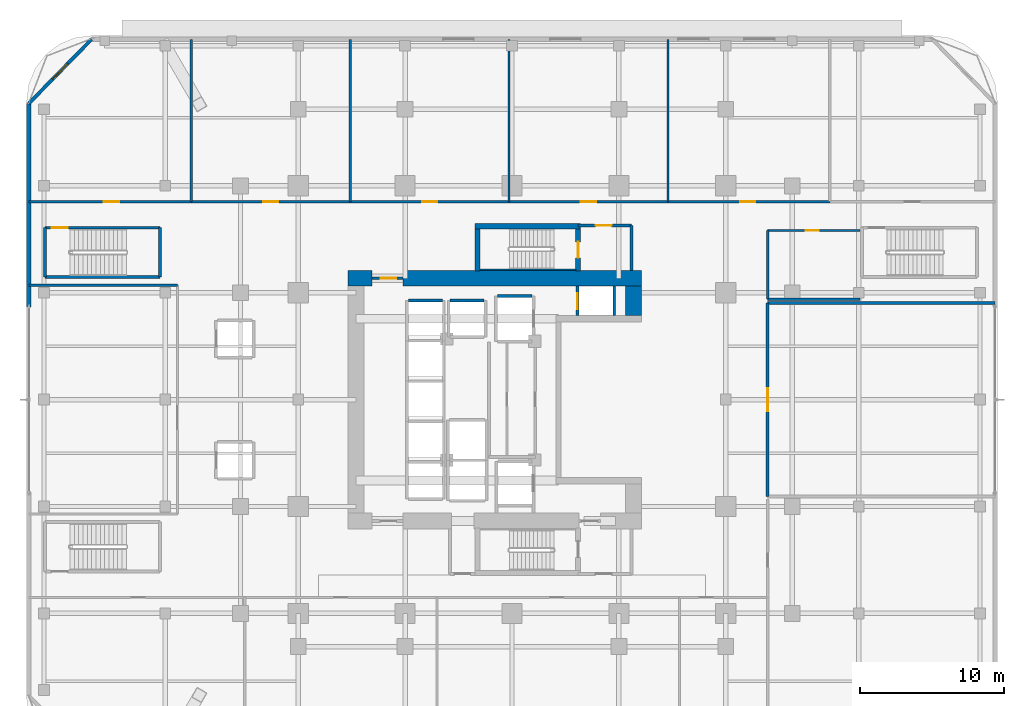
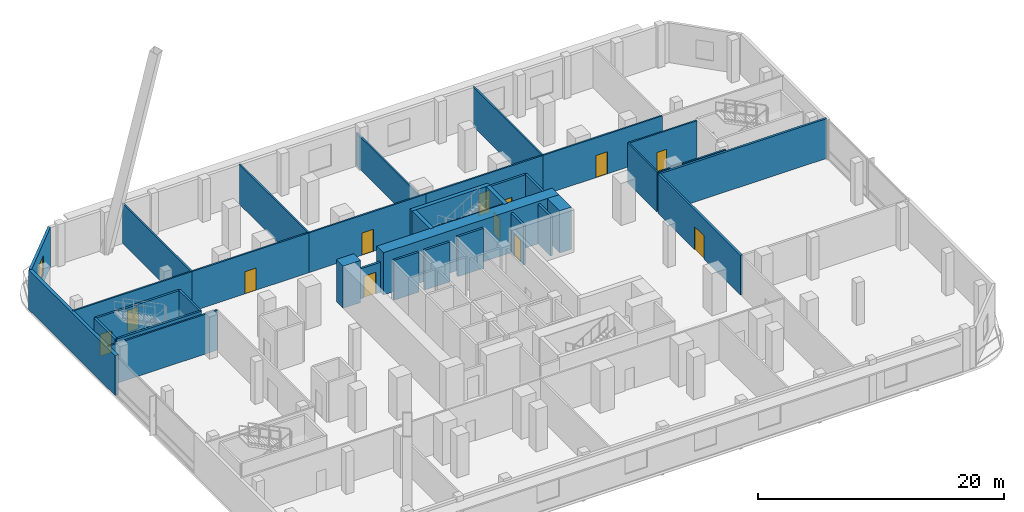
# One storey, part 10 of 19: 36 walls, 12 doors, 1 window, 13 openings.
"""IFC4 building model written with IfcOpenShell, lengths in metres."""

from ifc_helpers import new_model, si_unit, direction, frame, frame_2d, origin, place, context, subcontext, project, spatial, rectangle, extrude, material, layer, layer_set, type_object, element, fill, save


model = new_model("IFC4")

# Units and contexts
model_context = context("Model", 3, precision=1e-05, world=origin(), true_north=direction((0.0, 1.0)))
body_context = subcontext(model_context, "Body", "Model", "MODEL_VIEW")
ifc_project = project(units=[si_unit("LENGTHUNIT", "METRE"), si_unit("AREAUNIT", "SQUARE_METRE"), si_unit("VOLUMEUNIT", "CUBIC_METRE"), si_unit("PLANEANGLEUNIT", "RADIAN"), si_unit("MASSUNIT", "GRAM", prefix="KILO")], contexts=[model_context])

# Site, building, storey
site_placement = place(None, origin())
site = spatial("IfcSite", under=ifc_project, at=site_placement, CompositionType="ELEMENT")
building_placement = place(site_placement, origin())
building = spatial("IfcBuilding", under=site, at=building_placement, Name="Khorvyn Point Tower", CompositionType="ELEMENT")
storey_placement = place(building_placement, frame((0.0, 0.0, 4.800048828125)))
storey = spatial("IfcBuildingStorey", under=building, at=storey_placement, Name="L02", CompositionType="ELEMENT", Elevation=4.800048828125)

# Wall, opening, window
ifc_material_1 = material(Name="Pale anodised aluminium rainscreen on steel stud", Category="steel")
ifc_layer_1 = layer(ifc_material_1, 0.239990234375)
ifc_layer_set_1 = layer_set([ifc_layer_1], Name="Anodised Aluminium Insulated Corner Spandrel Wall 240")
wall_type_1 = type_object("IfcWallType", Name="Anodised Aluminium Insulated Corner Spandrel Wall 240", PredefinedType="SOLIDWALL", material=ifc_layer_set_1)
wall_1_placement = place(storey_placement, frame((-33.449951171875, 20.5, 0.0), z_axis=(0.0, 0.0, 1.0), x_axis=(0.69901822973, 0.715103848756, 0.0)))
wall_1 = element("IfcWall", 1, at=wall_1_placement, inside=storey, type_object=wall_type_1, Name="L02 Rounded Corner Wall NW", PredefinedType="SOLIDWALL", context=body_context, shape_type="SweptSolid", body=[
    extrude(rectangle(XDim=6.222900390625, YDim=0.239990234375, at=frame_2d((3.111328125, 0.0))), origin(), (0.0, 0.0, 1.0), 3.9599609375),
])
opening_1_placement = place(wall_1_placement, frame((2.361572265625, 0.0, 0.85009765625)))
opening_1 = element("IfcOpeningElement", 2, at=opening_1_placement, cuts=wall_1, Name="Opening WN-1518", PredefinedType="OPENING", context=body_context, shape_type="SweptSolid", body=[
    extrude(rectangle(XDim=1.5, YDim=1.85009765625, at=frame_2d((0.75, 0.925048828125))), frame((0.0, 0.1298828125, 0.0), z_axis=(0.0, -1.0, 0.0), x_axis=(1.0, 0.0, 0.0)), (0.0, 0.0, 1.0), 0.260009765625),
])
ifc_material_2 = material(Name="Anodised aluminium 6063-T6 and laminated Low-E glass", Category="aluminium")
window_type = type_object("IfcWindowType", Name="Anodised Aluminium Rounded-Corner Panoramic Window 1500x1850", PartitioningType="SINGLE_PANEL", PredefinedType="WINDOW", material=ifc_material_2)
window_placement = place(opening_1_placement, origin())
window = element("IfcWindow", 3, at=window_placement, inside=storey, type_object=window_type, Name="L02 Corner Window NW", OverallHeight=1.85009765625, OverallWidth=1.5, PartitioningType="SINGLE_PANEL", PredefinedType="WINDOW", context=body_context, shape_type="SweptSolid", body=[
    extrude(rectangle(XDim=1.5, YDim=1.85009765625, at=frame_2d((0.75, 0.925048828125))), frame((0.0, 0.030029296875, 0.0), z_axis=(0.0, -1.0, 0.0), x_axis=(1.0, 0.0, 0.0)), (0.0, 0.0, 1.0), 0.06005859375),
])
fill(opening_1, window)

# Wall, opening, door
ifc_material_3 = material(Name="Concrete C40/50", Category="concrete")
ifc_layer_2 = layer(ifc_material_3, 0.199951171875)
ifc_layer_set_2 = layer_set([ifc_layer_2], Name="Concrete C40/50 Fire-Lobby Compartment Wall 200")
wall_type_2 = type_object("IfcWallType", Name="Concrete C40/50 Fire-Lobby Compartment Wall 200", PredefinedType="SOLIDWALL", material=ifc_layer_set_2)
wall_2_placement = place(storey_placement, frame((4.580078125, 12.06005859375, 0.0), z_axis=(0.0, 0.0, 1.0), x_axis=(1.0, 0.0, 0.0)))
wall_2 = element("IfcWall", 4, at=wall_2_placement, inside=storey, type_object=wall_type_2, Name="Wall", PredefinedType="SOLIDWALL", context=body_context, shape_type="SweptSolid", body=[
    extrude(rectangle(XDim=3.699951171875, YDim=0.199951171875, at=frame_2d((1.85009765625, 0.0))), origin(), (0.0, 0.0, 1.0), 3.9599609375),
])
opening_2_placement = place(wall_2_placement, frame((1.21240234375, 0.0, 0.0)))
opening_2 = element("IfcOpeningElement", 5, at=opening_2_placement, cuts=wall_2, Name="Opening ID-FL90", PredefinedType="OPENING", context=body_context, shape_type="SweptSolid", body=[
    extrude(rectangle(XDim=1.10009765625, YDim=2.14990234375, at=frame_2d((0.550048828125, 1.074951171875))), frame((0.0, 0.10986328125, 0.0), z_axis=(0.0, -1.0, 0.0), x_axis=(1.0, 0.0, 0.0)), (0.0, 0.0, 1.0), 0.219970703125),
])
ifc_material_4 = material(Name="Galvanised powder-coated steel", Category="steel")
door_type_1 = type_object("IfcDoorType", Name="Fire-Rated Steel Lobby and Stair Door 1100x2150", OperationType="NOTDEFINED", PredefinedType="DOOR", material=ifc_material_4)
door_1_placement = place(opening_2_placement, origin())
door_1 = element("IfcDoor", 6, at=door_1_placement, inside=storey, type_object=door_type_1, Name="Door", OperationType="SINGLE_SWING_RIGHT", OverallHeight=2.14990234375, OverallWidth=1.10009765625, PredefinedType="DOOR", context=body_context, shape_type="SweptSolid", body=[
    extrude(rectangle(XDim=1.10009765625, YDim=2.14990234375, at=frame_2d((0.550048828125, 1.074951171875))), frame((0.0, 0.02490234375, 0.0), z_axis=(0.0, -1.0, 0.0), x_axis=(1.0, 0.0, 0.0)), (0.0, 0.0, 1.0), 0.050048828125),
])
fill(opening_2, door_1)

wall_3_placement = place(storey_placement, frame((-9.699951171875, 8.39990234375, 0.0), z_axis=(0.0, 0.0, 1.0), x_axis=(1.0, 0.0, 0.0)))
wall_3 = element("IfcWall", 7, at=wall_3_placement, inside=storey, type_object=wall_type_2, Name="Wall", PredefinedType="SOLIDWALL", context=body_context, shape_type="SweptSolid", body=[
    extrude(rectangle(XDim=2.14990234375, YDim=0.199951171875, at=frame_2d((1.074951171875, 0.0))), origin(), (0.0, 0.0, 1.0), 3.0),
])
opening_3_placement = place(wall_3_placement, frame((0.597900390625, 0.0, 0.0)))
opening_3 = element("IfcOpeningElement", 8, at=opening_3_placement, cuts=wall_3, Name="Opening ID-FL90", PredefinedType="OPENING", context=body_context, shape_type="SweptSolid", body=[
    extrude(rectangle(XDim=1.10009765625, YDim=2.14990234375, at=frame_2d((0.550048828125, 1.074951171875))), frame((0.0, 0.10986328125, 0.0), z_axis=(0.0, -1.0, 0.0), x_axis=(1.0, 0.0, 0.0)), (0.0, 0.0, 1.0), 0.219970703125),
])
door_2_placement = place(opening_3_placement, origin())
door_2 = element("IfcDoor", 9, at=door_2_placement, inside=storey, type_object=door_type_1, Name="Door", OperationType="SINGLE_SWING_RIGHT", OverallHeight=2.14990234375, OverallWidth=1.10009765625, PredefinedType="DOOR", context=body_context, shape_type="SweptSolid", body=[
    extrude(rectangle(XDim=1.10009765625, YDim=2.14990234375, at=frame_2d((0.550048828125, 1.074951171875))), frame((0.0, 0.02490234375, 0.0), z_axis=(0.0, -1.0, 0.0), x_axis=(1.0, 0.0, 0.0)), (0.0, 0.0, 1.0), 0.050048828125),
])
fill(opening_3, door_2)

wall_4_placement = place(storey_placement, frame((17.699951171875, -6.699951171875, 0.0), z_axis=(0.0, 0.0, 1.0), x_axis=(0.0, 1.0, 0.0)))
wall_4 = element("IfcWall", 10, at=wall_4_placement, inside=storey, type_object=wall_type_2, Name="Wall", PredefinedType="SOLIDWALL", context=body_context, shape_type="SweptSolid", body=[
    extrude(rectangle(XDim=13.39990234375, YDim=0.199951171875, at=frame_2d((6.699951171875, 0.0))), origin(), (0.0, 0.0, 1.0), 3.9599609375),
])
opening_4_placement = place(wall_4_placement, frame((5.89990234375, 0.0, 0.0)))
opening_4 = element("IfcOpeningElement", 11, at=opening_4_placement, cuts=wall_4, Name="Opening ID-LB30", PredefinedType="OPENING", context=body_context, shape_type="SweptSolid", body=[
    extrude(rectangle(XDim=1.60009765625, YDim=2.300048828125, at=frame_2d((0.800048828125, 1.14990234375))), frame((0.0, 0.10986328125, 0.0), z_axis=(0.0, -1.0, 0.0), x_axis=(1.0, 0.0, 0.0)), (0.0, 0.0, 1.0), 0.219970703125),
])
ifc_material_5 = material(Name="Anodised aluminium 6063-T6 and tempered glass", Category="aluminium")
door_type_2 = type_object("IfcDoorType", Name="Glazed Aluminium Sky-Lobby Double Swing Door 1600x2300", OperationType="DOUBLE_DOOR_SINGLE_SWING", PredefinedType="DOOR", material=ifc_material_5)
door_3_placement = place(opening_4_placement, origin())
door_3 = element("IfcDoor", 12, at=door_3_placement, inside=storey, type_object=door_type_2, Name="Door", OperationType="SINGLE_SWING_LEFT", OverallHeight=2.300048828125, OverallWidth=1.60009765625, PredefinedType="DOOR", context=body_context, shape_type="SweptSolid", body=[
    extrude(rectangle(XDim=1.60009765625, YDim=2.300048828125, at=frame_2d((0.800048828125, 1.14990234375))), frame((0.0, 0.02490234375, 0.0), z_axis=(0.0, -1.0, 0.0), x_axis=(1.0, 0.0, 0.0)), (0.0, 0.0, 1.0), 0.050048828125),
])
fill(opening_4, door_3)

# Walls
wall_5_placement = place(storey_placement, frame((8.280029296875, 8.949951171875, 0.0), z_axis=(0.0, 0.0, 1.0), x_axis=(0.0, 1.0, 0.0)))
element("IfcWall", 13, at=wall_5_placement, inside=storey, type_object=wall_type_2, Name="Wall", PredefinedType="SOLIDWALL", context=body_context, shape_type="SweptSolid", body=[
    extrude(rectangle(XDim=3.110107421875, YDim=0.199951171875, at=frame_2d((1.55517578125, 0.0))), origin(), (0.0, 0.0, 1.0), 3.9599609375),
])
wall_6_placement = place(storey_placement, frame((17.699951171875, 6.699951171875, 0.0), z_axis=(0.0, 0.0, 1.0), x_axis=(1.0, 0.0, 0.0)))
element("IfcWall", 14, at=wall_6_placement, inside=storey, type_object=wall_type_2, Name="Wall", PredefinedType="SOLIDWALL", context=body_context, shape_type="SweptSolid", body=[
    extrude(rectangle(XDim=15.719970703125, YDim=0.199951171875, at=frame_2d((7.85986328125, 0.0))), origin(), (0.0, 0.0, 1.0), 3.9599609375),
])
ifc_layer_3 = layer(ifc_material_3, 0.25)
ifc_layer_set_3 = layer_set([ifc_layer_3], Name="Concrete C40/50 Stair Inner Cheek Structural Wall 250")
wall_type_3 = type_object("IfcWallType", Name="Concrete C40/50 Stair Inner Cheek Structural Wall 250", PredefinedType="SHEAR", material=ifc_layer_set_3)
wall_7_placement = place(storey_placement, frame((-2.199951171875, 8.987548828125, 0.0), z_axis=(0.0, 0.0, 1.0), x_axis=(1.0, 0.0, 0.0)))
element("IfcWall", 15, at=wall_7_placement, inside=storey, type_object=wall_type_3, Name="Wall", PredefinedType="SHEAR", context=body_context, shape_type="SweptSolid", body=[
    extrude(rectangle(XDim=6.599853515625, YDim=0.074951171875, at=frame_2d((3.2998046875, 0.0))), origin(), (0.0, 0.0, 1.0), 4.199951171875),
])
ifc_layer_4 = layer(ifc_material_3, 0.35009765625)
ifc_layer_set_4 = layer_set([ifc_layer_4], Name="Concrete C40/50 Stair Shaft Structural Wall 350")
wall_type_4 = type_object("IfcWallType", Name="Concrete C40/50 Stair Shaft Structural Wall 350", PredefinedType="SHEAR", material=ifc_layer_set_4)
wall_8_placement = place(storey_placement, frame((-2.554931640625, 12.0, 0.0), z_axis=(0.0, 0.0, 1.0), x_axis=(1.0, 0.0, 0.0)))
element("IfcWall", 16, at=wall_8_placement, inside=storey, type_object=wall_type_4, Name="L02 ST-02 North Shaft Wall", PredefinedType="SHEAR", context=body_context, shape_type="SweptSolid", body=[
    extrude(rectangle(XDim=7.309814453125, YDim=0.35009765625, at=frame_2d((3.65478515625, 0.0))), origin(), (0.0, 0.0, 1.0), 4.199951171875),
])
wall_9_placement = place(storey_placement, frame((-2.3798828125, 8.89990234375, 0.0), z_axis=(0.0, 0.0, 1.0), x_axis=(0.0, 1.0, 0.0)))
element("IfcWall", 17, at=wall_9_placement, inside=storey, type_object=wall_type_4, Name="L02 ST-02 West Shaft Wall", PredefinedType="SHEAR", context=body_context, shape_type="SweptSolid", body=[
    extrude(rectangle(XDim=2.925048828125, YDim=0.35009765625, at=frame_2d((1.46240234375, 0.0))), origin(), (0.0, 0.0, 1.0), 4.199951171875),
])

# Wall, opening, door
wall_10_placement = place(storey_placement, frame((4.580078125, 11.824951171875, 0.0), z_axis=(0.0, 0.0, 1.0), x_axis=(0.0, -1.0, 0.0)))
wall_10 = element("IfcWall", 18, at=wall_10_placement, inside=storey, type_object=wall_type_4, Name="L02 ST-02 East Landing Door Wall", PredefinedType="SHEAR", context=body_context, shape_type="SweptSolid", body=[
    extrude(rectangle(XDim=2.925048828125, YDim=0.35009765625, at=frame_2d((1.46240234375, 0.0))), origin(), (0.0, 0.0, 1.0), 4.199951171875),
])
opening_5_placement = place(wall_10_placement, frame((0.91259765625, 0.0, 0.0)))
opening_5 = element("IfcOpeningElement", 19, at=opening_5_placement, cuts=wall_10, Name="Opening ID-FL90", PredefinedType="OPENING", context=body_context, shape_type="SweptSolid", body=[
    extrude(rectangle(XDim=1.10009765625, YDim=2.14990234375, at=frame_2d((0.550048828125, 1.074951171875))), frame((0.0, 0.18505859375, 0.0), z_axis=(0.0, -1.0, 0.0), x_axis=(1.0, 0.0, 0.0)), (0.0, 0.0, 1.0), 0.3701171875),
])
door_4_placement = place(opening_5_placement, origin())
door_4 = element("IfcDoor", 20, at=door_4_placement, inside=storey, type_object=door_type_1, Name="L02 ST-02 Smokeproof Landing Door", OperationType="SINGLE_SWING_LEFT", OverallHeight=2.14990234375, OverallWidth=1.10009765625, PredefinedType="DOOR", context=body_context, shape_type="SweptSolid", body=[
    extrude(rectangle(XDim=1.10009765625, YDim=2.14990234375, at=frame_2d((0.550048828125, 1.074951171875))), frame((0.0, 0.02490234375, 0.0), z_axis=(0.0, -1.0, 0.0), x_axis=(1.0, 0.0, 0.0)), (0.0, 0.0, 1.0), 0.050048828125),
])
fill(opening_5, door_4)

# Walls
ifc_layer_5 = layer(ifc_material_3, 0.199951171875)
ifc_layer_set_5 = layer_set([ifc_layer_5], Name="Concrete C40/50 Structural Hoistway and Stair Shaft Wall 200")
wall_type_5 = type_object("IfcWallType", Name="Concrete C40/50 Structural Hoistway and Stair Shaft Wall 200", PredefinedType="SHEAR", material=ifc_layer_set_5)
wall_11_placement = place(storey_placement, frame((-7.175048828125, 6.875, 0.0), z_axis=(0.0, 0.0, 1.0), x_axis=(1.0, 0.0, 0.0)))
element("IfcWall", 21, at=wall_11_placement, inside=storey, type_object=wall_type_5, Name="Wall", PredefinedType="SHEAR", context=body_context, shape_type="SweptSolid", body=[
    extrude(rectangle(XDim=2.35009765625, YDim=0.199951171875, at=frame_2d((1.175048828125, 0.0))), origin(), (0.0, 0.0, 1.0), 3.9599609375),
])
wall_12_placement = place(storey_placement, frame((-4.27490234375, 6.875, 0.0), z_axis=(0.0, 0.0, 1.0), x_axis=(1.0, 0.0, 0.0)))
element("IfcWall", 22, at=wall_12_placement, inside=storey, type_object=wall_type_5, Name="Wall", PredefinedType="SHEAR", context=body_context, shape_type="SweptSolid", body=[
    extrude(rectangle(XDim=2.349853515625, YDim=0.199951171875, at=frame_2d((1.1748046875, 0.0))), origin(), (0.0, 0.0, 1.0), 3.9599609375),
])
wall_13_placement = place(storey_placement, frame((-1.0, 7.175048828125, 0.0), z_axis=(0.0, 0.0, 1.0), x_axis=(1.0, 0.0, 0.0)))
element("IfcWall", 23, at=wall_13_placement, inside=storey, type_object=wall_type_5, Name="Wall", PredefinedType="SHEAR", context=body_context, shape_type="SweptSolid", body=[
    extrude(rectangle(XDim=2.39990234375, YDim=0.199951171875, at=frame_2d((1.199951171875, 0.0))), origin(), (0.0, 0.0, 1.0), 3.9599609375),
])

# Wall, opening, door
wall_14_placement = place(storey_placement, frame((4.52490234375, 5.824951171875, 0.0), z_axis=(0.0, 0.0, 1.0), x_axis=(0.0, 1.0, 0.0)))
wall_14 = element("IfcWall", 24, at=wall_14_placement, inside=storey, type_object=wall_type_5, Name="Wall", PredefinedType="SHEAR", context=body_context, shape_type="SweptSolid", body=[
    extrude(rectangle(XDim=2.025146484375, YDim=0.199951171875, at=frame_2d((1.0126953125, 0.0))), origin(), (0.0, 0.0, 1.0), 3.9599609375),
])
opening_6_placement = place(wall_14_placement, frame((0.425048828125, 0.0, 0.0)))
opening_6 = element("IfcOpeningElement", 25, at=opening_6_placement, cuts=wall_14, Name="Opening LD-1122", PredefinedType="OPENING", context=body_context, shape_type="SweptSolid", body=[
    extrude(rectangle(XDim=1.10009765625, YDim=2.199951171875, at=frame_2d((0.550048828125, 1.10009765625))), frame((0.0, 0.10986328125, 0.0), z_axis=(0.0, -1.0, 0.0), x_axis=(1.0, 0.0, 0.0)), (0.0, 0.0, 1.0), 0.219970703125),
])
ifc_material_6 = material(Name="Stainless steel 1.4301", Category="steel")
door_type_3 = type_object("IfcDoorType", Name="Stainless Steel Automatic Sliding Lift Landing Door 1100x2200", OperationType="SLIDING_TO_LEFT", PredefinedType="DOOR", material=ifc_material_6)
door_5_placement = place(opening_6_placement, origin())
door_5 = element("IfcDoor", 26, at=door_5_placement, inside=storey, type_object=door_type_3, Name="L02 FF-02 Sliding Lift Landing Door", OperationType="SLIDING_TO_LEFT", OverallHeight=2.199951171875, OverallWidth=1.10009765625, PredefinedType="DOOR", context=body_context, shape_type="SweptSolid", body=[
    extrude(rectangle(XDim=1.10009765625, YDim=2.199951171875, at=frame_2d((0.550048828125, 1.10009765625))), frame((0.0, 0.02490234375, 0.0), z_axis=(0.0, -1.0, 0.0), x_axis=(1.0, 0.0, 0.0)), (0.0, 0.0, 1.0), 0.050048828125),
])
fill(opening_6, door_5)

# Walls
wall_15_placement = place(storey_placement, frame((7.074951171875, 5.824951171875, 0.0), z_axis=(0.0, 0.0, 1.0), x_axis=(0.0, 1.0, 0.0)))
element("IfcWall", 27, at=wall_15_placement, inside=storey, type_object=wall_type_5, Name="Wall", PredefinedType="SHEAR", context=body_context, shape_type="SweptSolid", body=[
    extrude(rectangle(XDim=2.025146484375, YDim=0.199951171875, at=frame_2d((1.0126953125, 0.0))), origin(), (0.0, 0.0, 1.0), 3.9599609375),
])
for number, where, z_axis, x_axis, name in (
    (28, (-32.330078125, 8.47998046875, 0.0), (0.0, 0.0, 1.0), (0.0, 1.0, 0.0), "Wall"),
    (29, (-24.3701171875, 11.89990234375, 0.0), (0.0, 0.0, 1.0), (0.0, -1.0, 0.0), "Wall"),
):
    element("IfcWall", number, at=place(storey_placement, frame(where, z_axis=z_axis, x_axis=x_axis)), inside=storey, type_object=wall_type_5, Name=name, PredefinedType="SHEAR", context=body_context, shape_type="SweptSolid", body=[
        extrude(rectangle(XDim=3.419921875, YDim=0.199951171875, at=frame_2d((1.7099609375, 0.0))), origin(), (0.0, 0.0, 1.0), 3.9599609375),
    ])
wall_16_placement = place(storey_placement, frame((-24.3701171875, 8.47998046875, 0.0), z_axis=(0.0, 0.0, 1.0), x_axis=(-1.0, 0.0, 0.0)))
element("IfcWall", 30, at=wall_16_placement, inside=storey, type_object=wall_type_5, Name="Wall", PredefinedType="SHEAR", context=body_context, shape_type="SweptSolid", body=[
    extrude(rectangle(XDim=7.9599609375, YDim=0.199951171875, at=frame_2d((3.97998046875, 0.0))), origin(), (0.0, 0.0, 1.0), 3.9599609375),
])

# Wall, opening, door
wall_17_placement = place(storey_placement, frame((-32.330078125, 11.89990234375, 0.0), z_axis=(0.0, 0.0, 1.0), x_axis=(1.0, 0.0, 0.0)))
wall_17 = element("IfcWall", 31, at=wall_17_placement, inside=storey, type_object=wall_type_5, Name="Wall", PredefinedType="SHEAR", context=body_context, shape_type="SweptSolid", body=[
    extrude(rectangle(XDim=7.9599609375, YDim=0.199951171875, at=frame_2d((3.97998046875, 0.0))), origin(), (0.0, 0.0, 1.0), 3.9599609375),
])
opening_7_placement = place(wall_17_placement, frame((0.4599609375, 0.0, 0.0)))
opening_7 = element("IfcOpeningElement", 32, at=opening_7_placement, cuts=wall_17, Name="Opening ID-FL90", PredefinedType="OPENING", context=body_context, shape_type="SweptSolid", body=[
    extrude(rectangle(XDim=1.10009765625, YDim=2.14990234375, at=frame_2d((0.550048828125, 1.074951171875))), frame((0.0, 0.10986328125, 0.0), z_axis=(0.0, -1.0, 0.0), x_axis=(1.0, 0.0, 0.0)), (0.0, 0.0, 1.0), 0.219970703125),
])
door_6_placement = place(opening_7_placement, origin())
door_6 = element("IfcDoor", 33, at=door_6_placement, inside=storey, type_object=door_type_1, Name="L02 ST-S2 Smokeproof Landing Door", OperationType="SINGLE_SWING_LEFT", OverallHeight=2.14990234375, OverallWidth=1.10009765625, PredefinedType="DOOR", context=body_context, shape_type="SweptSolid", body=[
    extrude(rectangle(XDim=1.10009765625, YDim=2.14990234375, at=frame_2d((0.550048828125, 1.074951171875))), frame((0.0, 0.02490234375, 0.0), z_axis=(0.0, -1.0, 0.0), x_axis=(1.0, 0.0, 0.0)), (0.0, 0.0, 1.0), 0.050048828125),
])
fill(opening_7, door_6)

# Walls
ifc_material_7 = material(Name="Concrete C50/60", Category="concrete")
ifc_layer_6 = layer(ifc_material_7, 1.10009765625)
ifc_layer_set_6 = layer_set([ifc_layer_6], Name="Concrete C50/60 Core Shear Wall 1100")
wall_type_6 = type_object("IfcWallType", Name="Concrete C50/60 Core Shear Wall 1100", PredefinedType="SHEAR", material=ifc_layer_set_6)
wall_18_placement = place(storey_placement, frame((-11.35009765625, 8.39990234375, 0.0), z_axis=(0.0, 0.0, 1.0), x_axis=(1.0, 0.0, 0.0)))
element("IfcWall", 34, at=wall_18_placement, inside=storey, type_object=wall_type_6, Name="Wall", PredefinedType="SHEAR", context=body_context, shape_type="SweptSolid", body=[
    extrude(rectangle(XDim=1.650146484375, YDim=1.10009765625, at=frame_2d((0.8251953125, 0.0))), origin(), (0.0, 0.0, 1.0), 4.199951171875),
])
wall_19_placement = place(storey_placement, frame((-7.550048828125, 8.39990234375, 0.0), z_axis=(0.0, 0.0, 1.0), x_axis=(1.0, 0.0, 0.0)))
element("IfcWall", 35, at=wall_19_placement, inside=storey, type_object=wall_type_6, Name="Wall", PredefinedType="SHEAR", context=body_context, shape_type="SweptSolid", body=[
    extrude(rectangle(XDim=16.5, YDim=1.10009765625, at=frame_2d((8.25, 0.0))), origin(), (0.0, 0.0, 1.0), 4.199951171875),
])
wall_20_placement = place(storey_placement, frame((8.39990234375, 5.824951171875, 0.0), z_axis=(0.0, 0.0, 1.0), x_axis=(0.0, 1.0, 0.0)))
element("IfcWall", 36, at=wall_20_placement, inside=storey, type_object=wall_type_6, Name="Wall", PredefinedType="SHEAR", context=body_context, shape_type="SweptSolid", body=[
    extrude(rectangle(XDim=2.025146484375, YDim=1.10009765625, at=frame_2d((1.0126953125, 0.0))), origin(), (0.0, 0.0, 1.0), 4.199951171875),
])

# Wall, opening, door
ifc_material_8 = material(Name="Moisture-resistant gypsum and cement board", Category="gypsum")
ifc_layer_7 = layer(ifc_material_8, 0.14990234375)
ifc_layer_set_7 = layer_set([ifc_layer_7], Name="Moisture-Resistant Wet-Room Partition Wall 150")
wall_type_7 = type_object("IfcWallType", Name="Moisture-Resistant Wet-Room Partition Wall 150", PredefinedType="PARTITIONING", material=ifc_layer_set_7)
wall_21_placement = place(storey_placement, frame((-33.419921875, 13.699951171875, 0.0), z_axis=(0.0, 0.0, 1.0), x_axis=(1.0, 0.0, 0.0)))
wall_21 = element("IfcWall", 37, at=wall_21_placement, inside=storey, type_object=wall_type_7, Name="Wall", PredefinedType="PARTITIONING", context=body_context, shape_type="SweptSolid", body=[
    extrude(rectangle(XDim=11.219970703125, YDim=0.14990234375, at=frame_2d((5.60986328125, 0.0))), origin(), (0.0, 0.0, 1.0), 3.9599609375),
])
opening_8_placement = place(wall_21_placement, frame((5.174560546875, 0.0, 0.0)))
opening_8 = element("IfcOpeningElement", 38, at=opening_8_placement, cuts=wall_21, Name="Opening ID-CL30", PredefinedType="OPENING", context=body_context, shape_type="SweptSolid", body=[
    extrude(rectangle(XDim=1.050048828125, YDim=2.199951171875, at=frame_2d((0.52490234375, 1.10009765625))), frame((0.0, 0.0849609375, 0.0), z_axis=(0.0, -1.0, 0.0), x_axis=(1.0, 0.0, 0.0)), (0.0, 0.0, 1.0), 0.169921875),
])
ifc_material_9 = material(Name="Hardwood timber and wired safety glass", Category="wood")
door_type_4 = type_object("IfcDoorType", Name="Glazed-Vision-Panel Classroom Timber Door 1050x2200", OperationType="NOTDEFINED", PredefinedType="DOOR", material=ifc_material_9)
door_7_placement = place(opening_8_placement, origin())
door_7 = element("IfcDoor", 39, at=door_7_placement, inside=storey, type_object=door_type_4, Name="Door", OperationType="SINGLE_SWING_RIGHT", OverallHeight=2.199951171875, OverallWidth=1.050048828125, PredefinedType="DOOR", context=body_context, shape_type="SweptSolid", body=[
    extrude(rectangle(XDim=1.050048828125, YDim=2.199951171875, at=frame_2d((0.52490234375, 1.10009765625))), frame((0.0, 0.02490234375, 0.0), z_axis=(0.0, -1.0, 0.0), x_axis=(1.0, 0.0, 0.0)), (0.0, 0.0, 1.0), 0.050048828125),
])
fill(opening_8, door_7)

wall_22_placement = place(storey_placement, frame((-22.199951171875, 13.699951171875, 0.0), z_axis=(0.0, 0.0, 1.0), x_axis=(1.0, 0.0, 0.0)))
wall_22 = element("IfcWall", 40, at=wall_22_placement, inside=storey, type_object=wall_type_7, Name="Wall", PredefinedType="PARTITIONING", context=body_context, shape_type="SweptSolid", body=[
    extrude(rectangle(XDim=11.0, YDim=0.14990234375, at=frame_2d((5.5, 0.0))), origin(), (0.0, 0.0, 1.0), 3.9599609375),
])
opening_9_placement = place(wall_22_placement, frame((4.97509765625, 0.0, 0.0)))
opening_9 = element("IfcOpeningElement", 41, at=opening_9_placement, cuts=wall_22, Name="Opening ID-CL30", PredefinedType="OPENING", context=body_context, shape_type="SweptSolid", body=[
    extrude(rectangle(XDim=1.050048828125, YDim=2.199951171875, at=frame_2d((0.52490234375, 1.10009765625))), frame((0.0, 0.0849609375, 0.0), z_axis=(0.0, -1.0, 0.0), x_axis=(1.0, 0.0, 0.0)), (0.0, 0.0, 1.0), 0.169921875),
])
door_8_placement = place(opening_9_placement, origin())
door_8 = element("IfcDoor", 42, at=door_8_placement, inside=storey, type_object=door_type_4, Name="Door", OperationType="SINGLE_SWING_LEFT", OverallHeight=2.199951171875, OverallWidth=1.050048828125, PredefinedType="DOOR", context=body_context, shape_type="SweptSolid", body=[
    extrude(rectangle(XDim=1.050048828125, YDim=2.199951171875, at=frame_2d((0.52490234375, 1.10009765625))), frame((0.0, 0.02490234375, 0.0), z_axis=(0.0, -1.0, 0.0), x_axis=(1.0, 0.0, 0.0)), (0.0, 0.0, 1.0), 0.050048828125),
])
fill(opening_9, door_8)

wall_23_placement = place(storey_placement, frame((-11.199951171875, 13.699951171875, 0.0), z_axis=(0.0, 0.0, 1.0), x_axis=(1.0, 0.0, 0.0)))
wall_23 = element("IfcWall", 43, at=wall_23_placement, inside=storey, type_object=wall_type_7, Name="Wall", PredefinedType="PARTITIONING", context=body_context, shape_type="SweptSolid", body=[
    extrude(rectangle(XDim=11.0, YDim=0.14990234375, at=frame_2d((5.5, 0.0))), origin(), (0.0, 0.0, 1.0), 3.9599609375),
])
opening_10_placement = place(wall_23_placement, frame((4.97509765625, 0.0, 0.0)))
opening_10 = element("IfcOpeningElement", 44, at=opening_10_placement, cuts=wall_23, Name="Opening ID-CL30", PredefinedType="OPENING", context=body_context, shape_type="SweptSolid", body=[
    extrude(rectangle(XDim=1.050048828125, YDim=2.199951171875, at=frame_2d((0.52490234375, 1.10009765625))), frame((0.0, 0.0849609375, 0.0), z_axis=(0.0, -1.0, 0.0), x_axis=(1.0, 0.0, 0.0)), (0.0, 0.0, 1.0), 0.169921875),
])
door_9_placement = place(opening_10_placement, origin())
door_9 = element("IfcDoor", 45, at=door_9_placement, inside=storey, type_object=door_type_4, Name="Door", OperationType="SINGLE_SWING_RIGHT", OverallHeight=2.199951171875, OverallWidth=1.050048828125, PredefinedType="DOOR", context=body_context, shape_type="SweptSolid", body=[
    extrude(rectangle(XDim=1.050048828125, YDim=2.199951171875, at=frame_2d((0.52490234375, 1.10009765625))), frame((0.0, 0.02490234375, 0.0), z_axis=(0.0, -1.0, 0.0), x_axis=(1.0, 0.0, 0.0)), (0.0, 0.0, 1.0), 0.050048828125),
])
fill(opening_10, door_9)

wall_24_placement = place(storey_placement, frame((-0.199951171875, 13.699951171875, 0.0), z_axis=(0.0, 0.0, 1.0), x_axis=(1.0, 0.0, 0.0)))
wall_24 = element("IfcWall", 46, at=wall_24_placement, inside=storey, type_object=wall_type_7, Name="Wall", PredefinedType="PARTITIONING", context=body_context, shape_type="SweptSolid", body=[
    extrude(rectangle(XDim=11.0, YDim=0.14990234375, at=frame_2d((5.5, 0.0))), origin(), (0.0, 0.0, 1.0), 3.9599609375),
])
opening_11_placement = place(wall_24_placement, frame((4.97509765625, 0.0, 0.0)))
opening_11 = element("IfcOpeningElement", 47, at=opening_11_placement, cuts=wall_24, Name="Opening ID-CL30", PredefinedType="OPENING", context=body_context, shape_type="SweptSolid", body=[
    extrude(rectangle(XDim=1.050048828125, YDim=2.199951171875, at=frame_2d((0.52490234375, 1.10009765625))), frame((0.0, 0.0849609375, 0.0), z_axis=(0.0, -1.0, 0.0), x_axis=(1.0, 0.0, 0.0)), (0.0, 0.0, 1.0), 0.169921875),
])
door_10_placement = place(opening_11_placement, origin())
door_10 = element("IfcDoor", 48, at=door_10_placement, inside=storey, type_object=door_type_4, Name="Door", OperationType="SINGLE_SWING_LEFT", OverallHeight=2.199951171875, OverallWidth=1.050048828125, PredefinedType="DOOR", context=body_context, shape_type="SweptSolid", body=[
    extrude(rectangle(XDim=1.050048828125, YDim=2.199951171875, at=frame_2d((0.52490234375, 1.10009765625))), frame((0.0, 0.02490234375, 0.0), z_axis=(0.0, -1.0, 0.0), x_axis=(1.0, 0.0, 0.0)), (0.0, 0.0, 1.0), 0.050048828125),
])
fill(opening_11, door_10)

wall_25_placement = place(storey_placement, frame((10.800048828125, 13.699951171875, 0.0), z_axis=(0.0, 0.0, 1.0), x_axis=(1.0, 0.0, 0.0)))
wall_25 = element("IfcWall", 49, at=wall_25_placement, inside=storey, type_object=wall_type_7, Name="Wall", PredefinedType="PARTITIONING", context=body_context, shape_type="SweptSolid", body=[
    extrude(rectangle(XDim=11.199951171875, YDim=0.14990234375, at=frame_2d((5.60009765625, 0.0))), origin(), (0.0, 0.0, 1.0), 3.9599609375),
])
opening_12_placement = place(wall_25_placement, frame((4.985595703125, 0.0, 0.0)))
opening_12 = element("IfcOpeningElement", 50, at=opening_12_placement, cuts=wall_25, Name="Opening ID-CL30", PredefinedType="OPENING", context=body_context, shape_type="SweptSolid", body=[
    extrude(rectangle(XDim=1.050048828125, YDim=2.199951171875, at=frame_2d((0.52490234375, 1.10009765625))), frame((0.0, 0.0849609375, 0.0), z_axis=(0.0, -1.0, 0.0), x_axis=(1.0, 0.0, 0.0)), (0.0, 0.0, 1.0), 0.169921875),
])
door_11_placement = place(opening_12_placement, origin())
door_11 = element("IfcDoor", 51, at=door_11_placement, inside=storey, type_object=door_type_4, Name="Door", OperationType="SINGLE_SWING_RIGHT", OverallHeight=2.199951171875, OverallWidth=1.050048828125, PredefinedType="DOOR", context=body_context, shape_type="SweptSolid", body=[
    extrude(rectangle(XDim=1.050048828125, YDim=2.199951171875, at=frame_2d((0.52490234375, 1.10009765625))), frame((0.0, 0.02490234375, 0.0), z_axis=(0.0, -1.0, 0.0), x_axis=(1.0, 0.0, 0.0)), (0.0, 0.0, 1.0), 0.050048828125),
])
fill(opening_12, door_11)

wall_26_placement = place(storey_placement, frame((17.699951171875, 11.699951171875, 0.0), z_axis=(0.0, 0.0, 1.0), x_axis=(1.0, 0.0, 0.0)))
wall_26 = element("IfcWall", 52, at=wall_26_placement, inside=storey, type_object=wall_type_7, Name="Wall", PredefinedType="PARTITIONING", context=body_context, shape_type="SweptSolid", body=[
    extrude(rectangle(XDim=6.380126953125, YDim=0.14990234375, at=frame_2d((3.18994140625, 0.0))), origin(), (0.0, 0.0, 1.0), 3.9599609375),
])
opening_13_placement = place(wall_26_placement, frame((2.65087890625, 0.0, 0.0)))
opening_13 = element("IfcOpeningElement", 53, at=opening_13_placement, cuts=wall_26, Name="Opening ID-RM90", PredefinedType="OPENING", context=body_context, shape_type="SweptSolid", body=[
    extrude(rectangle(XDim=0.89990234375, YDim=2.10009765625, at=frame_2d((0.449951171875, 1.050048828125))), frame((0.0, 0.0849609375, 0.0), z_axis=(0.0, -1.0, 0.0), x_axis=(1.0, 0.0, 0.0)), (0.0, 0.0, 1.0), 0.169921875),
])
ifc_material_10 = material(Name="Engineered oak veneer timber", Category="wood")
door_type_5 = type_object("IfcDoorType", Name="Flush Engineered Timber Room Door 900x2100", OperationType="NOTDEFINED", PredefinedType="DOOR", material=ifc_material_10)
door_12_placement = place(opening_13_placement, origin())
door_12 = element("IfcDoor", 54, at=door_12_placement, inside=storey, type_object=door_type_5, Name="Door", OperationType="SINGLE_SWING_LEFT", OverallHeight=2.10009765625, OverallWidth=0.89990234375, PredefinedType="DOOR", context=body_context, shape_type="SweptSolid", body=[
    extrude(rectangle(XDim=0.89990234375, YDim=2.10009765625, at=frame_2d((0.449951171875, 1.050048828125))), frame((0.0, 0.02490234375, 0.0), z_axis=(0.0, -1.0, 0.0), x_axis=(1.0, 0.0, 0.0)), (0.0, 0.0, 1.0), 0.050048828125),
])
fill(opening_13, door_12)

# Walls
for number, where, z_axis, x_axis, name in (
    (55, (-22.199951171875, 13.699951171875, 0.0), (0.0, 0.0, 1.0), (0.0, 1.0, 0.0), "Wall"),
    (56, (-11.199951171875, 13.699951171875, 0.0), (0.0, 0.0, 1.0), (0.0, 1.0, 0.0), "Wall"),
):
    element("IfcWall", number, at=place(storey_placement, frame(where, z_axis=z_axis, x_axis=x_axis)), inside=storey, type_object=wall_type_7, Name=name, PredefinedType="PARTITIONING", context=body_context, shape_type="SweptSolid", body=[
        extrude(rectangle(XDim=11.219970703125, YDim=0.14990234375, at=frame_2d((5.60986328125, 0.0))), origin(), (0.0, 0.0, 1.0), 3.9599609375),
    ])
wall_27_placement = place(storey_placement, frame((-0.199951171875, 13.699951171875, 0.0), z_axis=(0.0, 0.0, 1.0), x_axis=(0.0, 1.0, 0.0)))
element("IfcWall", 57, at=wall_27_placement, inside=storey, type_object=wall_type_7, Name="Wall", PredefinedType="PARTITIONING", context=body_context, shape_type="SweptSolid", body=[
    extrude(rectangle(XDim=11.219970703125, YDim=0.14990234375, at=frame_2d((5.60986328125, 0.0))), origin(), (0.0, 0.0, 1.0), 3.25),
])
wall_28_placement = place(storey_placement, frame((10.800048828125, 13.699951171875, 0.0), z_axis=(0.0, 0.0, 1.0), x_axis=(0.0, 1.0, 0.0)))
element("IfcWall", 58, at=wall_28_placement, inside=storey, type_object=wall_type_7, Name="Wall", PredefinedType="PARTITIONING", context=body_context, shape_type="SweptSolid", body=[
    extrude(rectangle(XDim=11.219970703125, YDim=0.14990234375, at=frame_2d((5.60986328125, 0.0))), origin(), (0.0, 0.0, 1.0), 3.9599609375),
])
wall_29_placement = place(storey_placement, frame((17.699951171875, 6.949951171875, 0.0), z_axis=(0.0, 0.0, 1.0), x_axis=(1.0, 0.0, 0.0)))
element("IfcWall", 59, at=wall_29_placement, inside=storey, type_object=wall_type_7, Name="Wall", PredefinedType="PARTITIONING", context=body_context, shape_type="SweptSolid", body=[
    extrude(rectangle(XDim=6.380126953125, YDim=0.14990234375, at=frame_2d((3.18994140625, 0.0))), origin(), (0.0, 0.0, 1.0), 3.9599609375),
])
wall_30_placement = place(storey_placement, frame((17.699951171875, 6.949951171875, 0.0), z_axis=(0.0, 0.0, 1.0), x_axis=(0.0, 1.0, 0.0)))
element("IfcWall", 60, at=wall_30_placement, inside=storey, type_object=wall_type_7, Name="Wall", PredefinedType="PARTITIONING", context=body_context, shape_type="SweptSolid", body=[
    extrude(rectangle(XDim=4.75, YDim=0.14990234375, at=frame_2d((2.375, 0.0))), origin(), (0.0, 0.0, 1.0), 3.9599609375),
])
wall_31_placement = place(storey_placement, frame((-33.419921875, 7.919921875, 0.0), z_axis=(0.0, 0.0, 1.0), x_axis=(1.0, 0.0, 0.0)))
element("IfcWall", 61, at=wall_31_placement, inside=storey, type_object=wall_type_7, Name="Wall", PredefinedType="PARTITIONING", context=body_context, shape_type="SweptSolid", body=[
    extrude(rectangle(XDim=10.260009765625, YDim=0.14990234375, at=frame_2d((5.1298828125, 0.0))), origin(), (0.0, 0.0, 1.0), 3.9599609375),
])
ifc_material_11 = material(Name="Precast concrete C35/45", Category="concrete")
ifc_layer_8 = layer(ifc_material_11, 0.300048828125)
ifc_layer_set_8 = layer_set([ifc_layer_8], Name="Precast Concrete C35/45 Insulated Podium Facade Wall 300")
wall_type_8 = type_object("IfcWallType", Name="Precast Concrete C35/45 Insulated Podium Facade Wall 300", PredefinedType="SOLIDWALL", material=ifc_layer_set_8)
wall_32_placement = place(storey_placement, frame((-33.449951171875, 6.409912109375, 0.0), z_axis=(0.0, 0.0, 1.0), x_axis=(0.0, 1.0, 0.0)))
element("IfcWall", 62, at=wall_32_placement, inside=storey, type_object=wall_type_8, Name="Wall", PredefinedType="SOLIDWALL", context=body_context, shape_type="SweptSolid", body=[
    extrude(rectangle(XDim=14.090087890625, YDim=0.300048828125, at=frame_2d((7.044921875, 0.0))), origin(), (0.0, 0.0, 1.0), 3.9599609375),
])

save(model, "model.ifc")
